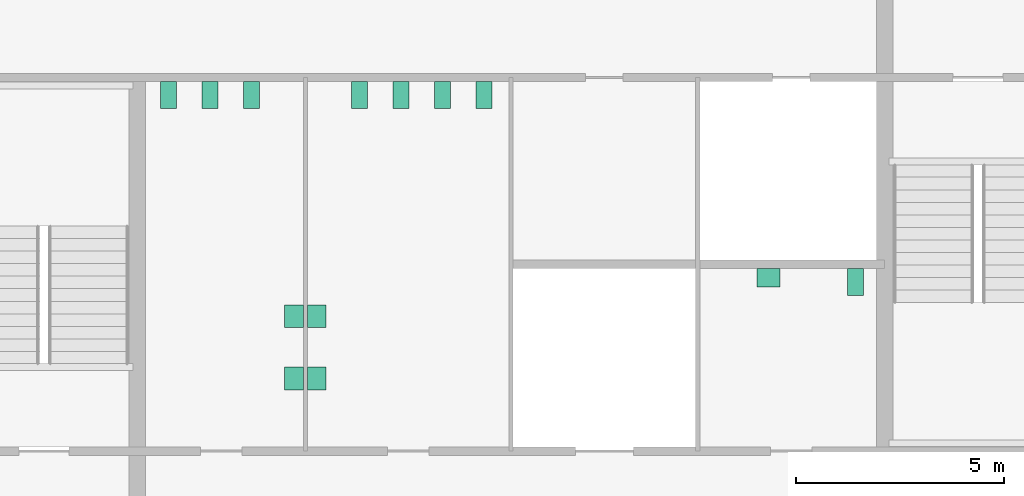
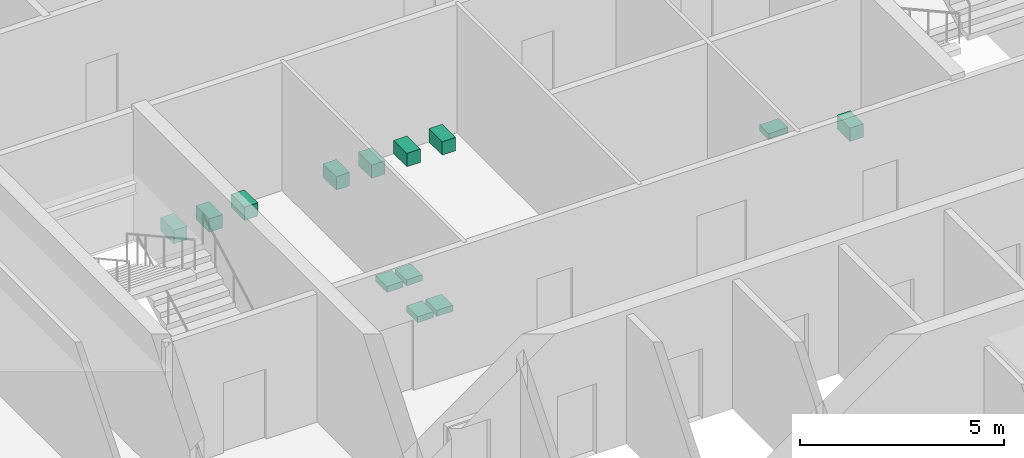
# One storey, part 13 of 13: 13 sanitary terminals.
"""IFC4 building model written with IfcOpenShell, lengths in metres."""

from ifc_helpers import new_model, si_unit, direction, frame, origin, origin_2d, place, context, subcontext, project, spatial, rectangle, extrude, material, type_object, element, save


model = new_model("IFC4")

# Units and contexts
model_context = context("Model", 3, precision=1e-05, world=origin(), true_north=direction((0.0, 1.0)))
body_context = subcontext(model_context, "Body", "Model", "MODEL_VIEW")
ifc_project = project(units=[si_unit("LENGTHUNIT", "METRE"), si_unit("AREAUNIT", "SQUARE_METRE"), si_unit("VOLUMEUNIT", "CUBIC_METRE"), si_unit("PLANEANGLEUNIT", "RADIAN"), si_unit("MASSUNIT", "GRAM", prefix="KILO")], contexts=[model_context])

# Site, building, storey
site_placement = place(None, origin())
site = spatial("IfcSite", under=ifc_project, at=site_placement, CompositionType="ELEMENT")
building_placement = place(site_placement, origin())
building = spatial("IfcBuilding", under=site, at=building_placement, Name="Corais Broadcast Tower", CompositionType="ELEMENT")
storey_placement = place(building_placement, frame((0.0, 0.0, 270.60009765625)))
storey = spatial("IfcBuildingStorey", under=building, at=storey_placement, Name="L63", CompositionType="ELEMENT", Elevation=270.60009765625)

# Sanitary terminals
ifc_material_1 = material(Name="Vitreous china", Category="ceramic")
sanitary_terminal_type_1 = type_object("IfcSanitaryTerminalType", Name="WC pan 380x650", PredefinedType="TOILETPAN", material=ifc_material_1)
for number, where, z_axis, x_axis, name in (
    (1, (18.75, 31.074951171875, 0.0), (0.0, 0.0, 1.0), (1.0, 0.0, 0.0), "SW1 WC pan, male toilets L63"),
    (2, (19.75, 31.074951171875, 0.0), (0.0, 0.0, 1.0), (1.0, 0.0, 0.0), "SW1 WC pan, male toilets L63"),
    (3, (20.75, 31.074951171875, 0.0), (0.0, 0.0, 1.0), (1.0, 0.0, 0.0), "SW1 WC pan, male toilets L63"),
    (4, (23.35009765625, 31.074951171875, 0.0), (0.0, 0.0, 1.0), (1.0, 0.0, 0.0), "SW1 WC pan, female toilets L63"),
    (5, (24.35009765625, 31.074951171875, 0.0), (0.0, 0.0, 1.0), (1.0, 0.0, 0.0), "SW1 WC pan, female toilets L63"),
    (6, (25.35009765625, 31.074951171875, 0.0), (0.0, 0.0, 1.0), (1.0, 0.0, 0.0), "SW1 WC pan, female toilets L63"),
    (7, (26.35009765625, 31.074951171875, 0.0), (0.0, 0.0, 1.0), (1.0, 0.0, 0.0), "SW1 WC pan, female toilets L63"),
    (8, (35.300048828125, 26.574951171875, 0.0), (0.0, 0.0, 1.0), (1.0, 0.0, 0.0), "SW1 WC pan, accessible WC L63"),
):
    element("IfcSanitaryTerminal", number, at=place(storey_placement, frame(where, z_axis=z_axis, x_axis=x_axis)), inside=storey, type_object=sanitary_terminal_type_1, Name=name, PredefinedType="TOILETPAN", context=body_context, shape_type="SweptSolid", body=[
        extrude(rectangle(XDim=0.3798828125, YDim=0.64990234375, at=origin_2d()), origin(), (0.0, 0.0, 1.0), 0.39990234375),
    ])
ifc_material_2 = material(Name="Vitreous china", Category="ceramic")
sanitary_terminal_type_2 = type_object("IfcSanitaryTerminalType", Name="Wash basin 550x450", PredefinedType="WASHHANDBASIN", material=ifc_material_2)
for number, where, z_axis, x_axis, name in (
    (9, (21.77490234375, 24.25, 0.69970703125), (0.0, 0.0, 1.0), (1.0, 0.0, 0.0), "WB1 wash basin, male toilets L63"),
    (10, (21.77490234375, 25.75, 0.69970703125), (0.0, 0.0, 1.0), (1.0, 0.0, 0.0), "WB1 wash basin, male toilets L63"),
    (11, (22.324951171875, 24.25, 0.69970703125), (0.0, 0.0, 1.0), (1.0, 0.0, 0.0), "WB1 wash basin, female toilets L63"),
    (12, (22.324951171875, 25.75, 0.69970703125), (0.0, 0.0, 1.0), (1.0, 0.0, 0.0), "WB1 wash basin, female toilets L63"),
):
    element("IfcSanitaryTerminal", number, at=place(storey_placement, frame(where, z_axis=z_axis, x_axis=x_axis)), inside=storey, type_object=sanitary_terminal_type_2, Name=name, PredefinedType="WASHHANDBASIN", context=body_context, shape_type="SweptSolid", body=[
        extrude(rectangle(XDim=0.449951171875, YDim=0.550048828125, at=origin_2d()), origin(), (0.0, 0.0, 1.0), 0.179931640625),
    ])
sanitary_terminal_placement = place(storey_placement, frame((33.199951171875, 26.675048828125, 0.69970703125), z_axis=(0.0, 0.0, 1.0), x_axis=(1.0, 0.0, 0.0)))
element("IfcSanitaryTerminal", 13, at=sanitary_terminal_placement, inside=storey, type_object=sanitary_terminal_type_2, Name="WB1 wash basin, accessible WC L63", PredefinedType="WASHHANDBASIN", context=body_context, shape_type="SweptSolid", body=[
    extrude(rectangle(XDim=0.550048828125, YDim=0.449951171875, at=origin_2d()), origin(), (0.0, 0.0, 1.0), 0.179931640625),
])

save(model, "model.ifc")
